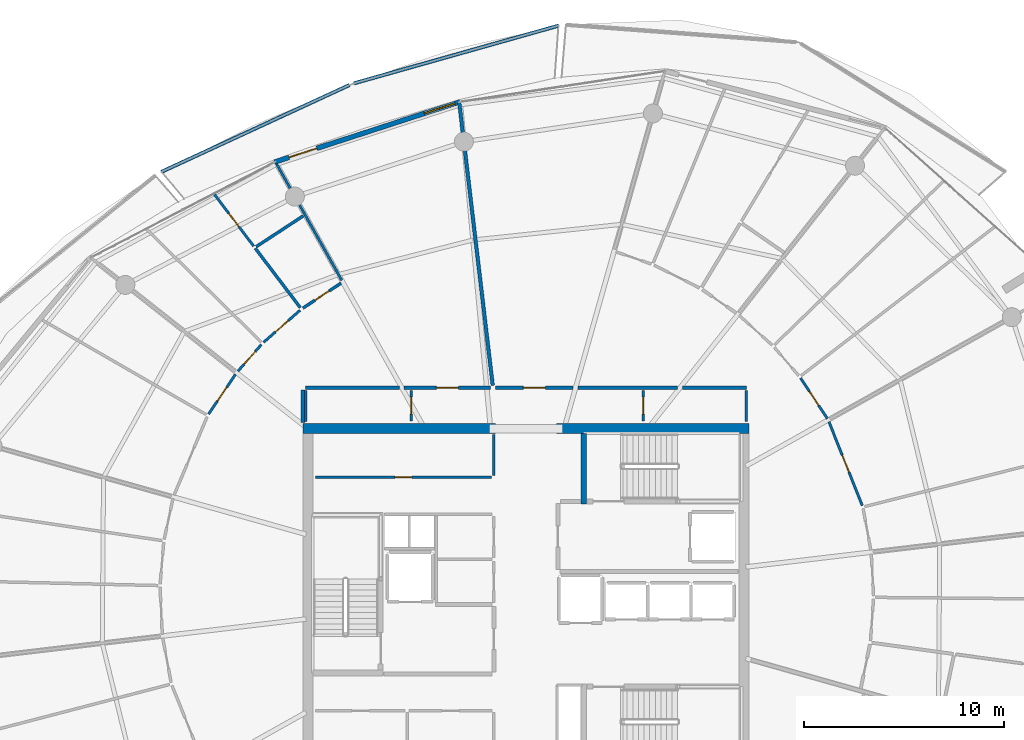
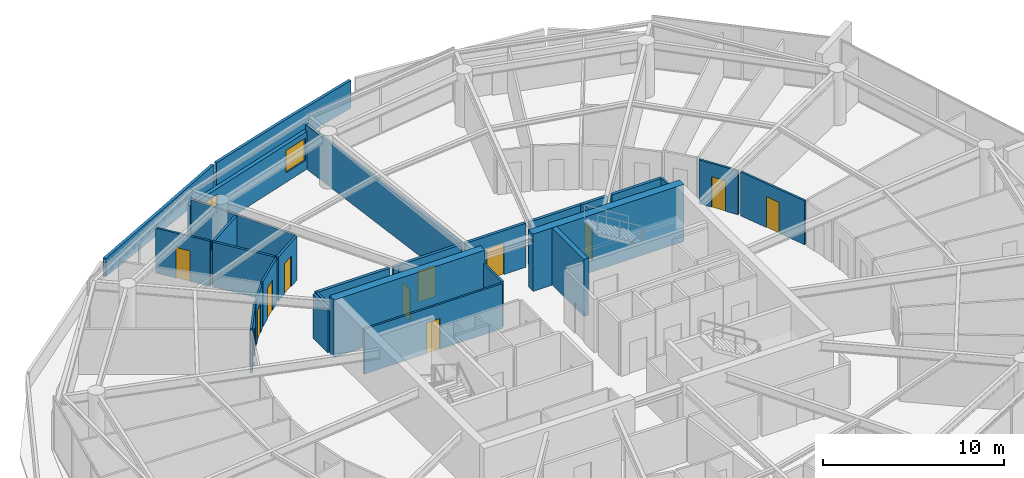
# One storey, part 21 of 29: 29 walls, 13 doors, 1 window, 14 openings.
"""IFC4 building model written with IfcOpenShell, lengths in metres."""

from ifc_helpers import new_model, si_unit, direction, frame, frame_2d, origin, place, context, subcontext, project, spatial, polyline, rectangle, outline, extrude, material, layer, layer_set, type_object, element, fill, save


model = new_model("IFC4")

# Units and contexts
model_context = context("Model", 3, precision=1e-05, world=origin(), true_north=direction((0.0, 1.0)))
body_context = subcontext(model_context, "Body", "Model", "MODEL_VIEW")
ifc_project = project(units=[si_unit("LENGTHUNIT", "METRE"), si_unit("AREAUNIT", "SQUARE_METRE"), si_unit("VOLUMEUNIT", "CUBIC_METRE"), si_unit("PLANEANGLEUNIT", "RADIAN"), si_unit("MASSUNIT", "GRAM", prefix="KILO")], contexts=[model_context])

# Site, building, storey
site_placement = place(None, origin())
site = spatial("IfcSite", under=ifc_project, at=site_placement, CompositionType="ELEMENT")
building_placement = place(site_placement, origin())
building = spatial("IfcBuilding", under=site, at=building_placement, Name="Kazma Halo Residences", CompositionType="ELEMENT")
storey_placement = place(building_placement, frame((0.0, 0.0, 282.89990234375)))
storey = spatial("IfcBuildingStorey", under=building, at=storey_placement, Name="L71", CompositionType="ELEMENT", Elevation=282.89990234375)

# Walls
ifc_material_1 = material(Name="White Concrete C50/60 Balustrade", Category="concrete")
ifc_layer_1 = layer(ifc_material_1, 0.179931640625)
ifc_layer_set_1 = layer_set([ifc_layer_1], Name="White Concrete C50/60 Balustrade")
wall_type_1 = type_object("IfcWallType", Name="WL-BAL-WAVE-180", PredefinedType="PARAPET", material=ifc_layer_set_1)
wall_1_placement = place(storey_placement, frame((50.05810546875, 70.364501953125, 0.0), z_axis=(0.0, 0.0, 1.0), x_axis=(-0.962462930889, -0.271413165976, 0.0)))
element("IfcWall", 1, at=wall_1_placement, inside=storey, type_object=wall_type_1, Name="L71 white wave balustrade wall NNW.1", PredefinedType="PARAPET", context=body_context, shape_type="SweptSolid", body=[
    extrude(outline(polyline([(0.0, 0.0), (10.610595703125, 0.0), (10.610595703125, 1.632080078125), (5.305419921875, 1.798095703125), (0.0, 1.860107421875), (0.0, 0.0)])), frame((0.0, 0.08984375, 0.0), z_axis=(0.0, -1.0, 0.0), x_axis=(1.0, 0.0, 0.0)), (0.0, 0.0, 1.0), 0.179931640625),
])
wall_2_placement = place(storey_placement, frame((39.621337890625, 67.401611328125, 0.0), z_axis=(0.0, 0.0, 1.0), x_axis=(-0.907848132744, -0.419299138888, 0.0)))
element("IfcWall", 2, at=wall_2_placement, inside=storey, type_object=wall_type_1, Name="L71 white wave balustrade wall NNW.2", PredefinedType="PARAPET", context=body_context, shape_type="SweptSolid", body=[
    extrude(outline(polyline([(0.0, 0.0), (10.34375, 0.0), (10.34375, 1.233154296875), (5.171875, 1.418212890625), (0.0, 1.632080078125), (0.0, 0.0)])), frame((0.0, 0.08984375, 0.0), z_axis=(0.0, -1.0, 0.0), x_axis=(1.0, 0.0, 0.0)), (0.0, 0.0, 1.0), 0.179931640625),
])
ifc_material_2 = material(Name="Concrete C60/75", Category="concrete")
ifc_layer_2 = layer(ifc_material_2, 0.5)
ifc_layer_set_2 = layer_set([ifc_layer_2], Name="Concrete C60/75")
wall_type_2 = type_object("IfcWallType", Name="WL-CORE-500", PredefinedType="SHEAR", material=ifc_layer_set_2)
wall_3_placement = place(storey_placement, frame((37.300048828125, 50.25, 0.0), z_axis=(0.0, 0.0, 1.0), x_axis=(1.0, 0.0, 0.0)))
element("IfcWall", 3, at=wall_3_placement, inside=storey, type_object=wall_type_2, Name="L71 central core shear wall NW", PredefinedType="SHEAR", context=body_context, shape_type="SweptSolid", body=[
    extrude(rectangle(XDim=9.599853515625, YDim=0.5, at=frame_2d((4.7998046875, 0.0))), origin(), (0.0, 0.0, 1.0), 3.85009765625),
])
wall_4_placement = place(storey_placement, frame((49.949951171875, 50.25, 0.0), z_axis=(0.0, 0.0, 1.0), x_axis=(1.0, 0.0, 0.0)))
element("IfcWall", 4, at=wall_4_placement, inside=storey, type_object=wall_type_2, Name="L71 central core shear wall NE", PredefinedType="SHEAR", context=body_context, shape_type="SweptSolid", body=[
    extrude(rectangle(XDim=9.60009765625, YDim=0.5, at=frame_2d((4.800048828125, 0.0))), origin(), (0.0, 0.0, 1.0), 3.85009765625),
])
ifc_layer_3 = layer(ifc_material_2, 0.280029296875)
ifc_layer_set_3 = layer_set([ifc_layer_3], Name="Concrete C60/75")
wall_type_3 = type_object("IfcWallType", Name="WL-CORE-ST-280", PredefinedType="SHEAR", material=ifc_layer_set_3)
wall_5_placement = place(storey_placement, frame((51.31005859375, 46.5, 0.0), z_axis=(0.0, 0.0, 1.0), x_axis=(0.0, 1.0, 0.0)))
element("IfcWall", 5, at=wall_5_placement, inside=storey, type_object=wall_type_3, Name="L71 stairwell bearing wall ST02-W", PredefinedType="SHEAR", context=body_context, shape_type="SweptSolid", body=[
    extrude(rectangle(XDim=3.5, YDim=0.280029296875, at=frame_2d((1.75, 0.0))), origin(), (0.0, 0.0, 1.0), 3.85009765625),
])
ifc_material_3 = material(Name="Acoustic Twin-Stud Gypsum")
ifc_layer_4 = layer(ifc_material_3, 0.179931640625)
ifc_layer_set_4 = layer_set([ifc_layer_4], Name="Acoustic Twin-Stud Gypsum")
wall_type_4 = type_object("IfcWallType", Name="WL-DEM-180", PredefinedType="PARTITIONING", material=ifc_layer_set_4)
wall_6_placement = place(storey_placement, frame((46.76806640625, 52.4091796875, 0.0), z_axis=(0.0, 0.0, 1.0), x_axis=(-0.117545848714, 0.993067456646, 0.0)))
element("IfcWall", 6, at=wall_6_placement, inside=storey, type_object=wall_type_4, Name="L71 apartment demising radial wall 03", PredefinedType="PARTITIONING", context=body_context, shape_type="SweptSolid", body=[
    extrude(rectangle(XDim=14.212890625, YDim=0.179931640625, at=frame_2d((7.1064453125, 0.0))), origin(), (0.0, 0.0, 1.0), 2.95703125),
])

# Wall, opening, door
wall_7_placement = place(storey_placement, frame((46.660888671875, 52.300048828125, 0.0), z_axis=(0.0, 0.0, 1.0), x_axis=(-1.0, 0.0, 0.0)))
wall_7 = element("IfcWall", 7, at=wall_7_placement, inside=storey, type_object=wall_type_4, Name="L71 Apartment 1 entrance corridor wall", PredefinedType="PARTITIONING", context=body_context, shape_type="SweptSolid", body=[
    extrude(rectangle(XDim=4.30908203125, YDim=0.179931640625, at=frame_2d((2.154541015625, 0.0))), origin(), (0.0, 0.0, 1.0), 2.95703125),
])
opening_1_placement = place(wall_7_placement, frame((1.6044921875, 0.0, 0.0)))
opening_1 = element("IfcOpeningElement", 8, at=opening_1_placement, cuts=wall_7, Name="Opening DA-1100", PredefinedType="OPENING", context=body_context, shape_type="SweptSolid", body=[
    extrude(rectangle(XDim=1.10009765625, YDim=2.10009765625, at=frame_2d((0.550048828125, 1.050048828125))), frame((0.0, 0.099853515625, 0.0), z_axis=(0.0, -1.0, 0.0), x_axis=(1.0, 0.0, 0.0)), (0.0, 0.0, 1.0), 0.199951171875),
])
ifc_material_4 = material(Name="Acoustic Walnut Fire Leaf")
door_type_1 = type_object("IfcDoorType", Name="DR-FD60-1100", OperationType="NOTDEFINED", PredefinedType="DOOR", material=ifc_material_4)
door_1_placement = place(opening_1_placement, origin())
door_1 = element("IfcDoor", 9, at=door_1_placement, inside=storey, type_object=door_type_1, Name="L71 Apartment 1 entrance fire door", OperationType="SINGLE_SWING_LEFT", OverallHeight=2.10009765625, OverallWidth=1.10009765625, PredefinedType="DOOR", context=body_context, shape_type="SweptSolid", body=[
    extrude(rectangle(XDim=1.10009765625, YDim=2.10009765625, at=frame_2d((0.550048828125, 1.050048828125))), frame((0.0, 0.02490234375, 0.0), z_axis=(0.0, -1.0, 0.0), x_axis=(1.0, 0.0, 0.0)), (0.0, 0.0, 1.0), 0.050048828125),
])
fill(opening_1, door_1)

# Walls
wall_8_placement = place(storey_placement, frame((42.11181640625, 52.300048828125, 0.0), z_axis=(0.0, 0.0, 1.0), x_axis=(-1.0, 0.0, 0.0)))
element("IfcWall", 10, at=wall_8_placement, inside=storey, type_object=wall_type_4, Name="L71 Apartment 1 inner wall 4", PredefinedType="PARTITIONING", context=body_context, shape_type="SweptSolid", body=[
    extrude(rectangle(XDim=4.69189453125, YDim=0.179931640625, at=frame_2d((2.345947265625, 0.0))), origin(), (0.0, 0.0, 1.0), 2.95703125),
])
wall_9_placement = place(storey_placement, frame((37.300048828125, 52.179931640625, 0.0), z_axis=(0.0, 0.0, 1.0), x_axis=(0.0, -1.0, 0.0)))
element("IfcWall", 11, at=wall_9_placement, inside=storey, type_object=wall_type_4, Name="L71 Apartment 1 inner wall 4", PredefinedType="PARTITIONING", context=body_context, shape_type="SweptSolid", body=[
    extrude(rectangle(XDim=1.624755859375, YDim=0.179931640625, at=frame_2d((0.8125, 0.0))), origin(), (0.0, 0.0, 1.0), 2.95703125),
])

# Wall, opening, door
wall_10_placement = place(storey_placement, frame((50.784912109375, 52.300048828125, 0.0), z_axis=(0.0, 0.0, 1.0), x_axis=(-1.0, 0.0, 0.0)))
wall_10 = element("IfcWall", 12, at=wall_10_placement, inside=storey, type_object=wall_type_4, Name="L71 Apartment 4 entrance corridor wall", PredefinedType="PARTITIONING", context=body_context, shape_type="SweptSolid", body=[
    extrude(rectangle(XDim=3.884033203125, YDim=0.179931640625, at=frame_2d((1.94189453125, 0.0))), origin(), (0.0, 0.0, 1.0), 2.95703125),
])
opening_2_placement = place(wall_10_placement, frame((1.39208984375, 0.0, 0.0)))
opening_2 = element("IfcOpeningElement", 13, at=opening_2_placement, cuts=wall_10, Name="Opening DA-1100", PredefinedType="OPENING", context=body_context, shape_type="SweptSolid", body=[
    extrude(rectangle(XDim=1.10009765625, YDim=2.10009765625, at=frame_2d((0.550048828125, 1.050048828125))), frame((0.0, 0.099853515625, 0.0), z_axis=(0.0, -1.0, 0.0), x_axis=(1.0, 0.0, 0.0)), (0.0, 0.0, 1.0), 0.199951171875),
])
door_2_placement = place(opening_2_placement, origin())
door_2 = element("IfcDoor", 14, at=door_2_placement, inside=storey, type_object=door_type_1, Name="L71 Apartment 4 entrance fire door", OperationType="SINGLE_SWING_RIGHT", OverallHeight=2.10009765625, OverallWidth=1.10009765625, PredefinedType="DOOR", context=body_context, shape_type="SweptSolid", body=[
    extrude(rectangle(XDim=1.10009765625, YDim=2.10009765625, at=frame_2d((0.550048828125, 1.050048828125))), frame((0.0, 0.02490234375, 0.0), z_axis=(0.0, -1.0, 0.0), x_axis=(1.0, 0.0, 0.0)), (0.0, 0.0, 1.0), 0.050048828125),
])
fill(opening_2, door_2)

# Walls
wall_11_placement = place(storey_placement, frame((59.429931640625, 52.300048828125, 0.0), z_axis=(0.0, 0.0, 1.0), x_axis=(-1.0, 0.0, 0.0)))
element("IfcWall", 15, at=wall_11_placement, inside=storey, type_object=wall_type_4, Name="L71 Apartment 4 inner wall 0", PredefinedType="PARTITIONING", context=body_context, shape_type="SweptSolid", body=[
    extrude(rectangle(XDim=3.18994140625, YDim=0.179931640625, at=frame_2d((1.594970703125, 0.0))), origin(), (0.0, 0.0, 1.0), 2.95703125),
])
wall_12_placement = place(storey_placement, frame((56.0, 52.300048828125, 0.0), z_axis=(0.0, 0.0, 1.0), x_axis=(-1.0, 0.0, 0.0)))
element("IfcWall", 16, at=wall_12_placement, inside=storey, type_object=wall_type_4, Name="L71 Apartment 4 inner wall 1", PredefinedType="PARTITIONING", context=body_context, shape_type="SweptSolid", body=[
    extrude(rectangle(XDim=4.97509765625, YDim=0.179931640625, at=frame_2d((2.487548828125, 0.0))), origin(), (0.0, 0.0, 1.0), 2.95703125),
])

# Wall, openings, door, window
ifc_material_5 = material(Name="Insulated Pale-Metal Composite Wall")
ifc_layer_5 = layer(ifc_material_5, 0.239990234375)
ifc_layer_set_5 = layer_set([ifc_layer_5], Name="Insulated Pale-Metal Composite Wall")
wall_type_5 = type_object("IfcWallType", Name="WL-EXT-HOST-240", PredefinedType="SOLIDWALL", material=ifc_layer_set_5)
wall_13_placement = place(storey_placement, frame((45.14208984375, 66.563720703125, 0.0), z_axis=(0.0, 0.0, 1.0), x_axis=(-0.951055974609, -0.309018661507, 0.0)))
wall_13 = element("IfcWall", 17, at=wall_13_placement, inside=storey, type_object=wall_type_5, Name="L71 exterior terrace-access wall B04", PredefinedType="SOLIDWALL", context=body_context, shape_type="SweptSolid", body=[
    extrude(rectangle(XDim=9.745361328125, YDim=0.239990234375, at=frame_2d((4.87255859375, 0.0))), origin(), (0.0, 0.0, 1.0), 2.5400390625),
])
opening_3_placement = place(wall_13_placement, frame((7.525390625, 0.0, 0.0)))
opening_3 = element("IfcOpeningElement", 18, at=opening_3_placement, cuts=wall_13, Name="Opening DTR-1600", PredefinedType="OPENING", context=body_context, shape_type="SweptSolid", body=[
    extrude(rectangle(XDim=1.449951171875, YDim=2.14990234375, at=frame_2d((0.72509765625, 1.074951171875))), frame((0.0, 0.1298828125, 0.0), z_axis=(0.0, -1.0, 0.0), x_axis=(1.0, 0.0, 0.0)), (0.0, 0.0, 1.0), 0.260009765625),
])
opening_4_placement = place(wall_13_placement, frame((0.280029296875, 0.0, 0.64990234375)))
opening_4 = element("IfcOpeningElement", 19, at=opening_4_placement, cuts=wall_13, Name="Opening W-1800", PredefinedType="OPENING", context=body_context, shape_type="SweptSolid", body=[
    extrude(rectangle(XDim=1.60009765625, YDim=1.5, at=frame_2d((0.800048828125, 0.75))), frame((0.0, 0.1298828125, 0.0), z_axis=(0.0, -1.0, 0.0), x_axis=(1.0, 0.0, 0.0)), (0.0, 0.0, 1.0), 0.260009765625),
])
ifc_material_6 = material(Name="Aluminium AW-6063 T6 Double-Glazed Terrace Door", Category="aluminium")
door_type_2 = type_object("IfcDoorType", Name="DR-EXT-TERR-1600", OperationType="NOTDEFINED", PredefinedType="DOOR", material=ifc_material_6)
door_3_placement = place(opening_3_placement, origin())
door_3 = element("IfcDoor", 20, at=door_3_placement, inside=storey, type_object=door_type_2, Name="L71 B04 balcony terrace door", OperationType="DOUBLE_DOOR_SLIDING", OverallHeight=2.14990234375, OverallWidth=1.449951171875, PredefinedType="DOOR", context=body_context, shape_type="SweptSolid", body=[
    extrude(rectangle(XDim=1.449951171875, YDim=2.14990234375, at=frame_2d((0.72509765625, 1.074951171875))), frame((0.0, 0.02490234375, 0.0), z_axis=(0.0, -1.0, 0.0), x_axis=(1.0, 0.0, 0.0)), (0.0, 0.0, 1.0), 0.050048828125),
])
fill(opening_3, door_3)
ifc_material_7 = material(Name="Clear Triple-Silver Low-E Glass in Aluminium AW-6063 T6 Frame", Category="aluminium")
window_type = type_object("IfcWindowType", Name="WIN-RES-1800", PartitioningType="DOUBLE_PANEL_VERTICAL", PredefinedType="WINDOW", material=ifc_material_7)
window_placement = place(opening_4_placement, origin())
window = element("IfcWindow", 21, at=window_placement, inside=storey, type_object=window_type, Name="L71 B04 apartment window", OverallHeight=1.5, OverallWidth=1.60009765625, PartitioningType="SINGLE_PANEL", PredefinedType="WINDOW", context=body_context, shape_type="SweptSolid", body=[
    extrude(rectangle(XDim=1.60009765625, YDim=1.5, at=frame_2d((0.800048828125, 0.75))), frame((0.0, 0.030029296875, 0.0), z_axis=(0.0, -1.0, 0.0), x_axis=(1.0, 0.0, 0.0)), (0.0, 0.0, 1.0), 0.06005859375),
])
fill(opening_4, window)

# Wall
ifc_material_8 = material(Name="Gypsum Plasterboard Partition")
ifc_layer_6 = layer(ifc_material_8, 0.125)
ifc_layer_set_6 = layer_set([ifc_layer_6], Name="Gypsum Plasterboard Partition")
wall_type_6 = type_object("IfcWallType", Name="WL-PART-125", PredefinedType="PARTITIONING", material=ifc_layer_set_6)
wall_14_placement = place(storey_placement, frame((46.820068359375, 47.919921875, 0.0), z_axis=(0.0, 0.0, 1.0), x_axis=(0.0, 1.0, 0.0)))
element("IfcWall", 22, at=wall_14_placement, inside=storey, type_object=wall_type_6, Name="L71 reclaimed north east wall", PredefinedType="PARTITIONING", context=body_context, shape_type="SweptSolid", body=[
    extrude(rectangle(XDim=2.030029296875, YDim=0.125, at=frame_2d((1.01513671875, 0.0))), origin(), (0.0, 0.0, 1.0), 3.030029296875),
])

# Wall, opening, door
wall_15_placement = place(storey_placement, frame((37.919921875, 47.820068359375, 0.0), z_axis=(0.0, 0.0, 1.0), x_axis=(1.0, 0.0, 0.0)))
wall_15 = element("IfcWall", 23, at=wall_15_placement, inside=storey, type_object=wall_type_6, Name="L71 reclaimed north front wall", PredefinedType="PARTITIONING", context=body_context, shape_type="SweptSolid", body=[
    extrude(rectangle(XDim=8.780029296875, YDim=0.125, at=frame_2d((4.39013671875, 0.0))), origin(), (0.0, 0.0, 1.0), 3.030029296875),
])
opening_5_placement = place(wall_15_placement, frame((3.965087890625, 0.0, 0.0)))
opening_5 = element("IfcOpeningElement", 24, at=opening_5_placement, cuts=wall_15, Name="Opening DS-850", PredefinedType="OPENING", context=body_context, shape_type="SweptSolid", body=[
    extrude(rectangle(XDim=0.85009765625, YDim=2.06005859375, at=frame_2d((0.425048828125, 1.030029296875))), frame((0.0, 0.072509765625, 0.0), z_axis=(0.0, -1.0, 0.0), x_axis=(1.0, 0.0, 0.0)), (0.0, 0.0, 1.0), 0.14501953125),
])
ifc_material_9 = material(Name="Painted Steel Access Leaf", Category="steel")
door_type_3 = type_object("IfcDoorType", Name="DR-SVC-850", OperationType="NOTDEFINED", PredefinedType="DOOR", material=ifc_material_9)
door_4_placement = place(opening_5_placement, origin())
door_4 = element("IfcDoor", 25, at=door_4_placement, inside=storey, type_object=door_type_3, Name="L71 reclaimed north service door", OperationType="SINGLE_SWING_RIGHT", OverallHeight=2.06005859375, OverallWidth=0.85009765625, PredefinedType="DOOR", context=body_context, shape_type="SweptSolid", body=[
    extrude(rectangle(XDim=0.85009765625, YDim=2.06005859375, at=frame_2d((0.425048828125, 1.030029296875))), frame((0.0, 0.02490234375, 0.0), z_axis=(0.0, -1.0, 0.0), x_axis=(1.0, 0.0, 0.0)), (0.0, 0.0, 1.0), 0.050048828125),
])
fill(opening_5, door_4)

# Walls
for number, where, z_axis, x_axis, name in (
    (26, (37.43994140625, 50.6201171875, 0.0), (0.0, 0.0, 1.0), (0.0, 1.0, 0.0), "L71 west linen end wall"),
    (27, (59.409912109375, 50.6201171875, 0.0), (0.0, 0.0, 1.0), (0.0, 1.0, 0.0), "L71 east cupboard end wall"),
):
    element("IfcWall", number, at=place(storey_placement, frame(where, z_axis=z_axis, x_axis=x_axis)), inside=storey, type_object=wall_type_6, Name=name, PredefinedType="PARTITIONING", context=body_context, shape_type="SweptSolid", body=[
        extrude(rectangle(XDim=1.539794921875, YDim=0.125, at=frame_2d((0.77001953125, 0.0))), origin(), (0.0, 0.0, 1.0), 3.030029296875),
    ])

# Wall, opening, door
wall_16_placement = place(storey_placement, frame((42.7099609375, 50.639892578125, 0.0), z_axis=(0.0, 0.0, 1.0), x_axis=(0.0, 1.0, 0.0)))
wall_16 = element("IfcWall", 28, at=wall_16_placement, inside=storey, type_object=wall_type_6, Name="L71 floor linen store door wall", PredefinedType="PARTITIONING", context=body_context, shape_type="SweptSolid", body=[
    extrude(rectangle(XDim=1.52001953125, YDim=0.125, at=frame_2d((0.760009765625, 0.0))), origin(), (0.0, 0.0, 1.0), 2.95703125),
])
opening_6_placement = place(wall_16_placement, frame((0.3349609375, 0.0, 0.0)))
opening_6 = element("IfcOpeningElement", 29, at=opening_6_placement, cuts=wall_16, Name="Opening DS-850", PredefinedType="OPENING", context=body_context, shape_type="SweptSolid", body=[
    extrude(rectangle(XDim=0.85009765625, YDim=2.06005859375, at=frame_2d((0.425048828125, 1.030029296875))), frame((0.0, 0.072509765625, 0.0), z_axis=(0.0, -1.0, 0.0), x_axis=(1.0, 0.0, 0.0)), (0.0, 0.0, 1.0), 0.14501953125),
])
door_5_placement = place(opening_6_placement, origin())
door_5 = element("IfcDoor", 30, at=door_5_placement, inside=storey, type_object=door_type_3, Name="L71 floor linen store door", OperationType="SINGLE_SWING_RIGHT", OverallHeight=2.06005859375, OverallWidth=0.85009765625, PredefinedType="DOOR", context=body_context, shape_type="SweptSolid", body=[
    extrude(rectangle(XDim=0.85009765625, YDim=2.06005859375, at=frame_2d((0.425048828125, 1.030029296875))), frame((0.0, 0.02490234375, 0.0), z_axis=(0.0, -1.0, 0.0), x_axis=(1.0, 0.0, 0.0)), (0.0, 0.0, 1.0), 0.050048828125),
])
fill(opening_6, door_5)

wall_17_placement = place(storey_placement, frame((54.2900390625, 50.639892578125, 0.0), z_axis=(0.0, 0.0, 1.0), x_axis=(0.0, 1.0, 0.0)))
wall_17 = element("IfcWall", 31, at=wall_17_placement, inside=storey, type_object=wall_type_6, Name="L71 floor metering cupboard door wall", PredefinedType="PARTITIONING", context=body_context, shape_type="SweptSolid", body=[
    extrude(rectangle(XDim=1.52001953125, YDim=0.125, at=frame_2d((0.760009765625, 0.0))), origin(), (0.0, 0.0, 1.0), 3.030029296875),
])
opening_7_placement = place(wall_17_placement, frame((0.3349609375, 0.0, 0.0)))
opening_7 = element("IfcOpeningElement", 32, at=opening_7_placement, cuts=wall_17, Name="Opening DS-850", PredefinedType="OPENING", context=body_context, shape_type="SweptSolid", body=[
    extrude(rectangle(XDim=0.85009765625, YDim=2.06005859375, at=frame_2d((0.425048828125, 1.030029296875))), frame((0.0, 0.072509765625, 0.0), z_axis=(0.0, -1.0, 0.0), x_axis=(1.0, 0.0, 0.0)), (0.0, 0.0, 1.0), 0.14501953125),
])
door_6_placement = place(opening_7_placement, origin())
door_6 = element("IfcDoor", 33, at=door_6_placement, inside=storey, type_object=door_type_3, Name="L71 floor cupboard door", OperationType="SINGLE_SWING_LEFT", OverallHeight=2.06005859375, OverallWidth=0.85009765625, PredefinedType="DOOR", context=body_context, shape_type="SweptSolid", body=[
    extrude(rectangle(XDim=0.85009765625, YDim=2.06005859375, at=frame_2d((0.425048828125, 1.030029296875))), frame((0.0, 0.02490234375, 0.0), z_axis=(0.0, -1.0, 0.0), x_axis=(1.0, 0.0, 0.0)), (0.0, 0.0, 1.0), 0.050048828125),
])
fill(opening_7, door_6)

# Wall
wall_18_placement = place(storey_placement, frame((39.233154296875, 57.654296875, 0.0), z_axis=(0.0, 0.0, 1.0), x_axis=(-0.488631305502, 0.872490370883, 0.0)))
element("IfcWall", 34, at=wall_18_placement, inside=storey, type_object=wall_type_6, Name="L71 Apartment 1 radial partition 4", PredefinedType="PARTITIONING", context=body_context, shape_type="SweptSolid", body=[
    extrude(rectangle(XDim=6.65283203125, YDim=0.125, at=frame_2d((3.326416015625, 0.0))), origin(), (0.0, 0.0, 1.0), 2.95703125),
])

# Wall, opening, door
wall_19_placement = place(storey_placement, frame((34.839599609375, 59.35693359375, 0.0), z_axis=(0.0, 0.0, 1.0), x_axis=(-0.604173390314, 0.7968528813, 0.0)))
wall_19 = element("IfcWall", 35, at=wall_19_placement, inside=storey, type_object=wall_type_6, Name="L71 Apartment 1 Utility Laundry Room partition wall", PredefinedType="PARTITIONING", context=body_context, shape_type="SweptSolid", body=[
    extrude(rectangle(XDim=3.26025390625, YDim=0.125, at=frame_2d((1.630126953125, 0.0))), origin(), (0.0, 0.0, 1.0), 3.030029296875),
])
opening_8_placement = place(wall_19_placement, frame((1.205078125, 0.0, 0.0)))
opening_8 = element("IfcOpeningElement", 36, at=opening_8_placement, cuts=wall_19, Name="Opening DB-900", PredefinedType="OPENING", context=body_context, shape_type="SweptSolid", body=[
    extrude(rectangle(XDim=0.85009765625, YDim=2.06005859375, at=frame_2d((0.425048828125, 1.030029296875))), frame((0.0, 0.072509765625, 0.0), z_axis=(0.0, -1.0, 0.0), x_axis=(1.0, 0.0, 0.0)), (0.0, 0.0, 1.0), 0.14501953125),
])
ifc_material_10 = material(Name="Moisture-Sealed Timber Leaf", Category="wood")
door_type_4 = type_object("IfcDoorType", Name="DR-BTH-900", OperationType="NOTDEFINED", PredefinedType="DOOR", material=ifc_material_10)
door_7_placement = place(opening_8_placement, origin())
door_7 = element("IfcDoor", 37, at=door_7_placement, inside=storey, type_object=door_type_4, Name="L71 Apartment 1 Utility Laundry Room door", OperationType="SINGLE_SWING_LEFT", OverallHeight=2.06005859375, OverallWidth=0.85009765625, PredefinedType="DOOR", context=body_context, shape_type="SweptSolid", body=[
    extrude(rectangle(XDim=0.85009765625, YDim=2.06005859375, at=frame_2d((0.425048828125, 1.030029296875))), frame((0.0, 0.02490234375, 0.0), z_axis=(0.0, -1.0, 0.0), x_axis=(1.0, 0.0, 0.0)), (0.0, 0.0, 1.0), 0.050048828125),
])
fill(opening_8, door_7)

wall_20_placement = place(storey_placement, frame((37.152587890625, 56.157958984375, 0.0), z_axis=(0.0, 0.0, 1.0), x_axis=(-0.750978090344, -0.660327121829, 0.0)))
wall_20 = element("IfcWall", 38, at=wall_20_placement, inside=storey, type_object=wall_type_6, Name="L71 Apartment 1 Gourmet Kitchen hall wall", PredefinedType="PARTITIONING", context=body_context, shape_type="SweptSolid", body=[
    extrude(rectangle(XDim=2.415771484375, YDim=0.125, at=frame_2d((1.2080078125, 0.0))), origin(), (0.0, 0.0, 1.0), 3.030029296875),
])
opening_9_placement = place(wall_20_placement, frame((0.782958984375, 0.0, 0.0)))
opening_9 = element("IfcOpeningElement", 39, at=opening_9_placement, cuts=wall_20, Name="Opening DB-900", PredefinedType="OPENING", context=body_context, shape_type="SweptSolid", body=[
    extrude(rectangle(XDim=0.85009765625, YDim=2.06005859375, at=frame_2d((0.425048828125, 1.030029296875))), frame((0.0, 0.072509765625, 0.0), z_axis=(0.0, -1.0, 0.0), x_axis=(1.0, 0.0, 0.0)), (0.0, 0.0, 1.0), 0.14501953125),
])
door_8_placement = place(opening_9_placement, origin())
door_8 = element("IfcDoor", 40, at=door_8_placement, inside=storey, type_object=door_type_4, Name="L71 Apartment 1 Gourmet Kitchen door", OperationType="SINGLE_SWING_RIGHT", OverallHeight=2.06005859375, OverallWidth=0.85009765625, PredefinedType="DOOR", context=body_context, shape_type="SweptSolid", body=[
    extrude(rectangle(XDim=0.85009765625, YDim=2.06005859375, at=frame_2d((0.425048828125, 1.030029296875))), frame((0.0, 0.02490234375, 0.0), z_axis=(0.0, -1.0, 0.0), x_axis=(1.0, 0.0, 0.0)), (0.0, 0.0, 1.0), 0.050048828125),
])
fill(opening_9, door_8)

wall_21_placement = place(storey_placement, frame((35.2255859375, 54.449951171875, 0.0), z_axis=(0.0, 0.0, 1.0), x_axis=(-0.661115526194, -0.7502841202, 0.0)))
wall_21 = element("IfcWall", 41, at=wall_21_placement, inside=storey, type_object=wall_type_6, Name="L71 Apartment 1 Primary Bedroom hall wall", PredefinedType="PARTITIONING", context=body_context, shape_type="SweptSolid", body=[
    extrude(rectangle(XDim=1.771484375, YDim=0.125, at=frame_2d((0.8857421875, 0.0))), origin(), (0.0, 0.0, 1.0), 2.95703125),
])
opening_10_placement = place(wall_21_placement, frame((0.460693359375, 0.0, 0.0)))
opening_10 = element("IfcOpeningElement", 42, at=opening_10_placement, cuts=wall_21, Name="Opening DB-900", PredefinedType="OPENING", context=body_context, shape_type="SweptSolid", body=[
    extrude(rectangle(XDim=0.85009765625, YDim=2.06005859375, at=frame_2d((0.425048828125, 1.030029296875))), frame((0.0, 0.072509765625, 0.0), z_axis=(0.0, -1.0, 0.0), x_axis=(1.0, 0.0, 0.0)), (0.0, 0.0, 1.0), 0.14501953125),
])
door_9_placement = place(opening_10_placement, origin())
door_9 = element("IfcDoor", 43, at=door_9_placement, inside=storey, type_object=door_type_4, Name="L71 Apartment 1 Primary Bedroom door", OperationType="SINGLE_SWING_LEFT", OverallHeight=2.06005859375, OverallWidth=0.85009765625, PredefinedType="DOOR", context=body_context, shape_type="SweptSolid", body=[
    extrude(rectangle(XDim=0.85009765625, YDim=2.06005859375, at=frame_2d((0.425048828125, 1.030029296875))), frame((0.0, 0.02490234375, 0.0), z_axis=(0.0, -1.0, 0.0), x_axis=(1.0, 0.0, 0.0)), (0.0, 0.0, 1.0), 0.050048828125),
])
fill(opening_10, door_9)

wall_22_placement = place(storey_placement, frame((33.932373046875, 52.963134765625, 0.0), z_axis=(0.0, 0.0, 1.0), x_axis=(-0.560751274748, -0.82798430412, 0.0)))
wall_22 = element("IfcWall", 44, at=wall_22_placement, inside=storey, type_object=wall_type_6, Name="L71 Apartment 1 Primary Wine Pantry Store hall wall", PredefinedType="PARTITIONING", context=body_context, shape_type="SweptSolid", body=[
    extrude(rectangle(XDim=2.396240234375, YDim=0.125, at=frame_2d((1.1982421875, 0.0))), origin(), (0.0, 0.0, 1.0), 2.95703125),
])
opening_11_placement = place(wall_22_placement, frame((0.773193359375, 0.0, 0.0)))
opening_11 = element("IfcOpeningElement", 45, at=opening_11_placement, cuts=wall_22, Name="Opening DB-900", PredefinedType="OPENING", context=body_context, shape_type="SweptSolid", body=[
    extrude(rectangle(XDim=0.85009765625, YDim=2.06005859375, at=frame_2d((0.425048828125, 1.030029296875))), frame((0.0, 0.072509765625, 0.0), z_axis=(0.0, -1.0, 0.0), x_axis=(1.0, 0.0, 0.0)), (0.0, 0.0, 1.0), 0.14501953125),
])
door_10_placement = place(opening_11_placement, origin())
door_10 = element("IfcDoor", 46, at=door_10_placement, inside=storey, type_object=door_type_4, Name="L71 Apartment 1 Primary Wine Pantry Store door", OperationType="SINGLE_SWING_LEFT", OverallHeight=2.06005859375, OverallWidth=0.85009765625, PredefinedType="DOOR", context=body_context, shape_type="SweptSolid", body=[
    extrude(rectangle(XDim=0.85009765625, YDim=2.06005859375, at=frame_2d((0.425048828125, 1.030029296875))), frame((0.0, 0.02490234375, 0.0), z_axis=(0.0, -1.0, 0.0), x_axis=(1.0, 0.0, 0.0)), (0.0, 0.0, 1.0), 0.050048828125),
])
fill(opening_11, door_10)

wall_23_placement = place(storey_placement, frame((65.20849609375, 46.413818359375, 0.0), z_axis=(0.0, 0.0, 1.0), x_axis=(-0.369574216998, 0.929201215093, 0.0)))
wall_23 = element("IfcWall", 47, at=wall_23_placement, inside=storey, type_object=wall_type_6, Name="L71 Apartment 4 Secondary Formal Dining Room hall wall", PredefinedType="PARTITIONING", context=body_context, shape_type="SweptSolid", body=[
    extrude(rectangle(XDim=4.497314453125, YDim=0.125, at=frame_2d((2.24853515625, 0.0))), origin(), (0.0, 0.0, 1.0), 2.95703125),
])
opening_12_placement = place(wall_23_placement, frame((1.798583984375, 0.0, 0.0)))
opening_12 = element("IfcOpeningElement", 48, at=opening_12_placement, cuts=wall_23, Name="Opening DI-950", PredefinedType="OPENING", context=body_context, shape_type="SweptSolid", body=[
    extrude(rectangle(XDim=0.89990234375, YDim=2.080078125, at=frame_2d((0.449951171875, 1.0400390625))), frame((0.0, 0.072509765625, 0.0), z_axis=(0.0, -1.0, 0.0), x_axis=(1.0, 0.0, 0.0)), (0.0, 0.0, 1.0), 0.14501953125),
])
ifc_material_11 = material(Name="Timber Veneer Flush Leaf", Category="wood")
door_type_5 = type_object("IfcDoorType", Name="DR-INT-950", OperationType="NOTDEFINED", PredefinedType="DOOR", material=ifc_material_11)
door_11_placement = place(opening_12_placement, origin())
door_11 = element("IfcDoor", 49, at=door_11_placement, inside=storey, type_object=door_type_5, Name="L71 Apartment 4 Secondary Formal Dining Room door", OperationType="SINGLE_SWING_RIGHT", OverallHeight=2.080078125, OverallWidth=0.89990234375, PredefinedType="DOOR", context=body_context, shape_type="SweptSolid", body=[
    extrude(rectangle(XDim=0.89990234375, YDim=2.080078125, at=frame_2d((0.449951171875, 1.0400390625))), frame((0.0, 0.02490234375, 0.0), z_axis=(0.0, -1.0, 0.0), x_axis=(1.0, 0.0, 0.0)), (0.0, 0.0, 1.0), 0.050048828125),
])
fill(opening_12, door_11)

wall_24_placement = place(storey_placement, frame((63.46533203125, 50.75244140625, 0.0), z_axis=(0.0, 0.0, 1.0), x_axis=(-0.550620168557, 0.834755910419, 0.0)))
wall_24 = element("IfcWall", 50, at=wall_24_placement, inside=storey, type_object=wall_type_6, Name="L71 Apartment 4 East Master Bedroom hall wall", PredefinedType="PARTITIONING", context=body_context, shape_type="SweptSolid", body=[
    extrude(rectangle(XDim=2.42041015625, YDim=0.125, at=frame_2d((1.210205078125, 0.0))), origin(), (0.0, 0.0, 1.0), 2.95703125),
])
opening_13_placement = place(wall_24_placement, frame((0.78515625, 0.0, 0.0)))
opening_13 = element("IfcOpeningElement", 51, at=opening_13_placement, cuts=wall_24, Name="Opening DB-900", PredefinedType="OPENING", context=body_context, shape_type="SweptSolid", body=[
    extrude(rectangle(XDim=0.85009765625, YDim=2.06005859375, at=frame_2d((0.425048828125, 1.030029296875))), frame((0.0, 0.072509765625, 0.0), z_axis=(0.0, -1.0, 0.0), x_axis=(1.0, 0.0, 0.0)), (0.0, 0.0, 1.0), 0.14501953125),
])
door_12_placement = place(opening_13_placement, origin())
door_12 = element("IfcDoor", 52, at=door_12_placement, inside=storey, type_object=door_type_4, Name="L71 Apartment 4 East Master Bedroom door", OperationType="SINGLE_SWING_LEFT", OverallHeight=2.06005859375, OverallWidth=0.85009765625, PredefinedType="DOOR", context=body_context, shape_type="SweptSolid", body=[
    extrude(rectangle(XDim=0.85009765625, YDim=2.06005859375, at=frame_2d((0.425048828125, 1.030029296875))), frame((0.0, 0.02490234375, 0.0), z_axis=(0.0, -1.0, 0.0), x_axis=(1.0, 0.0, 0.0)), (0.0, 0.0, 1.0), 0.050048828125),
])
fill(opening_13, door_12)

ifc_material_12 = material(Name="Moisture-Resistant Gypsum")
ifc_layer_7 = layer(ifc_material_12, 0.14990234375)
ifc_layer_set_7 = layer_set([ifc_layer_7], Name="Moisture-Resistant Gypsum")
wall_type_7 = type_object("IfcWallType", Name="WL-WET-150", PredefinedType="PARTITIONING", material=ifc_layer_set_7)
wall_25_placement = place(storey_placement, frame((39.1982421875, 57.51220703125, 0.0), z_axis=(0.0, 0.0, 1.0), x_axis=(-0.836678262568, -0.547694700491, 0.0)))
wall_25 = element("IfcWall", 53, at=wall_25_placement, inside=storey, type_object=wall_type_7, Name="L71 Apartment 1 Guest Bathroom hall wall", PredefinedType="PARTITIONING", context=body_context, shape_type="SweptSolid", body=[
    extrude(rectangle(XDim=2.274169921875, YDim=0.14990234375, at=frame_2d((1.13720703125, 0.0))), origin(), (0.0, 0.0, 1.0), 2.95703125),
])
opening_14_placement = place(wall_25_placement, frame((0.712158203125, 0.0, 0.0)))
opening_14 = element("IfcOpeningElement", 54, at=opening_14_placement, cuts=wall_25, Name="Opening DB-900", PredefinedType="OPENING", context=body_context, shape_type="SweptSolid", body=[
    extrude(rectangle(XDim=0.85009765625, YDim=2.06005859375, at=frame_2d((0.425048828125, 1.030029296875))), frame((0.0, 0.0849609375, 0.0), z_axis=(0.0, -1.0, 0.0), x_axis=(1.0, 0.0, 0.0)), (0.0, 0.0, 1.0), 0.169921875),
])
door_13_placement = place(opening_14_placement, origin())
door_13 = element("IfcDoor", 55, at=door_13_placement, inside=storey, type_object=door_type_4, Name="L71 Apartment 1 Guest Bathroom door", OperationType="SINGLE_SWING_RIGHT", OverallHeight=2.06005859375, OverallWidth=0.85009765625, PredefinedType="DOOR", context=body_context, shape_type="SweptSolid", body=[
    extrude(rectangle(XDim=0.85009765625, YDim=2.06005859375, at=frame_2d((0.425048828125, 1.030029296875))), frame((0.0, 0.02490234375, 0.0), z_axis=(0.0, -1.0, 0.0), x_axis=(1.0, 0.0, 0.0)), (0.0, 0.0, 1.0), 0.050048828125),
])
fill(opening_14, door_13)

# Walls
wall_26_placement = place(storey_placement, frame((37.317138671875, 60.871337890625, 0.0), z_axis=(0.0, 0.0, 1.0), x_axis=(-0.836665995214, -0.547713440087, 0.0)))
element("IfcWall", 56, at=wall_26_placement, inside=storey, type_object=wall_type_7, Name="L71 Apartment 1 Guest Bathroom back wall", PredefinedType="PARTITIONING", context=body_context, shape_type="SweptSolid", body=[
    extrude(rectangle(XDim=2.805908203125, YDim=0.14990234375, at=frame_2d((1.40283203125, 0.0))), origin(), (0.0, 0.0, 1.0), 2.95703125),
])
wall_27_placement = place(storey_placement, frame((37.165771484375, 56.2890625, 0.0), z_axis=(0.0, 0.0, 1.0), x_axis=(-0.604171001441, 0.796854692537, 0.0)))
element("IfcWall", 57, at=wall_27_placement, inside=storey, type_object=wall_type_7, Name="L71 Apartment 1 Guest Bathroom side wall", PredefinedType="PARTITIONING", context=body_context, shape_type="SweptSolid", body=[
    extrude(rectangle(XDim=3.719970703125, YDim=0.14990234375, at=frame_2d((1.85986328125, 0.0))), origin(), (0.0, 0.0, 1.0), 3.030029296875),
])

save(model, "model.ifc")
